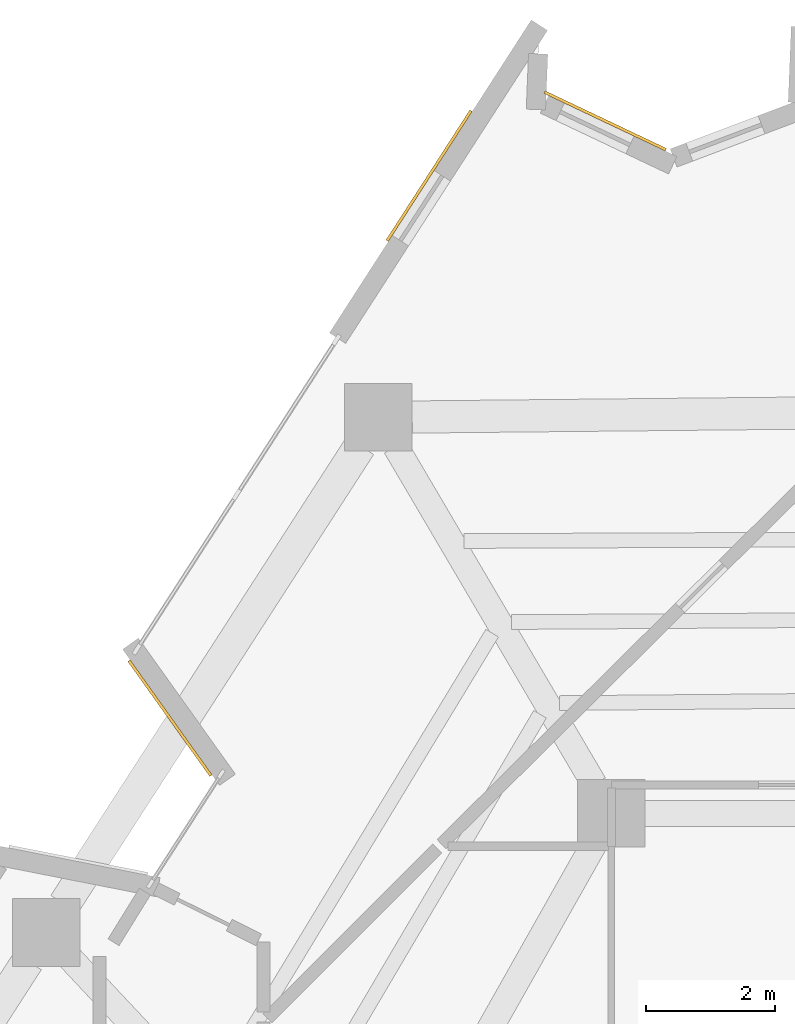
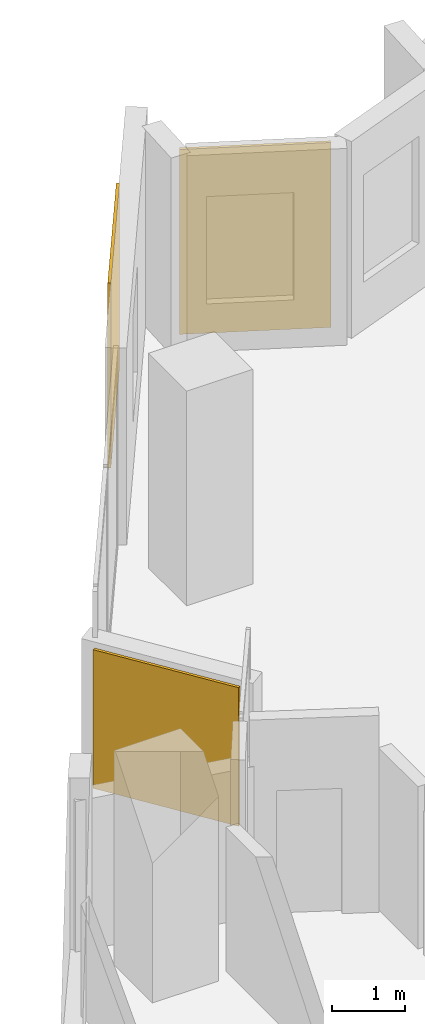
# One storey, part 11 of 11: 3 coverings.
"""IFC4 building model written with IfcOpenShell, lengths in metres."""

from ifc_helpers import new_model, si_unit, direction, frame, origin, origin_2d, place, context, subcontext, project, spatial, rectangle, extrude, material, layer, layer_set, type_object, element, save


model = new_model("IFC4")

# Units and contexts
model_context = context("Model", 3, precision=1e-05, world=origin(), true_north=direction((0.0, 1.0)))
body_context = subcontext(model_context, "Body", "Model", "MODEL_VIEW")
ifc_project = project(units=[si_unit("LENGTHUNIT", "METRE"), si_unit("AREAUNIT", "SQUARE_METRE"), si_unit("VOLUMEUNIT", "CUBIC_METRE"), si_unit("PLANEANGLEUNIT", "RADIAN"), si_unit("MASSUNIT", "GRAM", prefix="KILO")], contexts=[model_context])

# Site, building, storey
site_placement = place(None, origin())
site = spatial("IfcSite", under=ifc_project, at=site_placement, CompositionType="ELEMENT")
building_placement = place(site_placement, origin())
building = spatial("IfcBuilding", under=site, at=building_placement, Name="Almagre Mirador Tower", CompositionType="ELEMENT")
storey_placement = place(building_placement, frame((0.0, 0.0, 193.199951171875)))
storey = spatial("IfcBuildingStorey", under=building, at=storey_placement, Name="L50", CompositionType="ELEMENT", Elevation=193.199951171875)

# Coverings
ifc_material = material(Name="Almagre terracotta architectural cladding", Category="masonry")
ifc_layer = layer(ifc_material, 0.044921875)
ifc_layer_set = layer_set([ifc_layer], Name="Almagre terracotta architectural cladding")
covering_type = type_object("IfcCoveringType", Name="COV-CLAD-ALMAGRE", PredefinedType="CLADDING", material=ifc_layer_set)
covering_1_placement = place(storey_placement, frame((30.4951171875, 27.678955078125, 0.10009765625), z_axis=(0.0, 0.0, 1.0), x_axis=(-0.580475589131, 0.814277649468, 0.0)))
element("IfcCovering", 1, at=covering_1_placement, inside=storey, type_object=covering_type, Name="L50 almagre terracotta pier cladding", PredefinedType="CLADDING", context=body_context, shape_type="SweptSolid", body=[
    extrude(rectangle(XDim=2.194091796875, YDim=0.044921875, at=origin_2d()), origin(), (0.0, 0.0, 1.0), 2.324951171875),
])
covering_2_placement = place(storey_placement, frame((34.52001953125, 36.10302734375, 0.10009765625), z_axis=(0.0, 0.0, 1.0), x_axis=(0.542030924747, 0.840358540516, 0.0)))
element("IfcCovering", 2, at=covering_2_placement, inside=storey, type_object=covering_type, Name="L50 almagre terracotta pier cladding", PredefinedType="CLADDING", context=body_context, shape_type="SweptSolid", body=[
    extrude(rectangle(XDim=2.39990234375, YDim=0.044921875, at=origin_2d()), origin(), (0.0, 0.0, 1.0), 3.10009765625),
])
covering_3_placement = place(storey_placement, frame((37.25390625, 36.953369140625, 0.10009765625), z_axis=(0.0, 0.0, 1.0), x_axis=(0.903492445122, -0.428604014922, 0.0)))
element("IfcCovering", 3, at=covering_3_placement, inside=storey, type_object=covering_type, Name="L50 almagre terracotta pier cladding", PredefinedType="CLADDING", context=body_context, shape_type="SweptSolid", body=[
    extrude(rectangle(XDim=2.0849609375, YDim=0.044921875, at=origin_2d()), origin(), (0.0, 0.0, 1.0), 3.10009765625),
])

save(model, "model.ifc")
